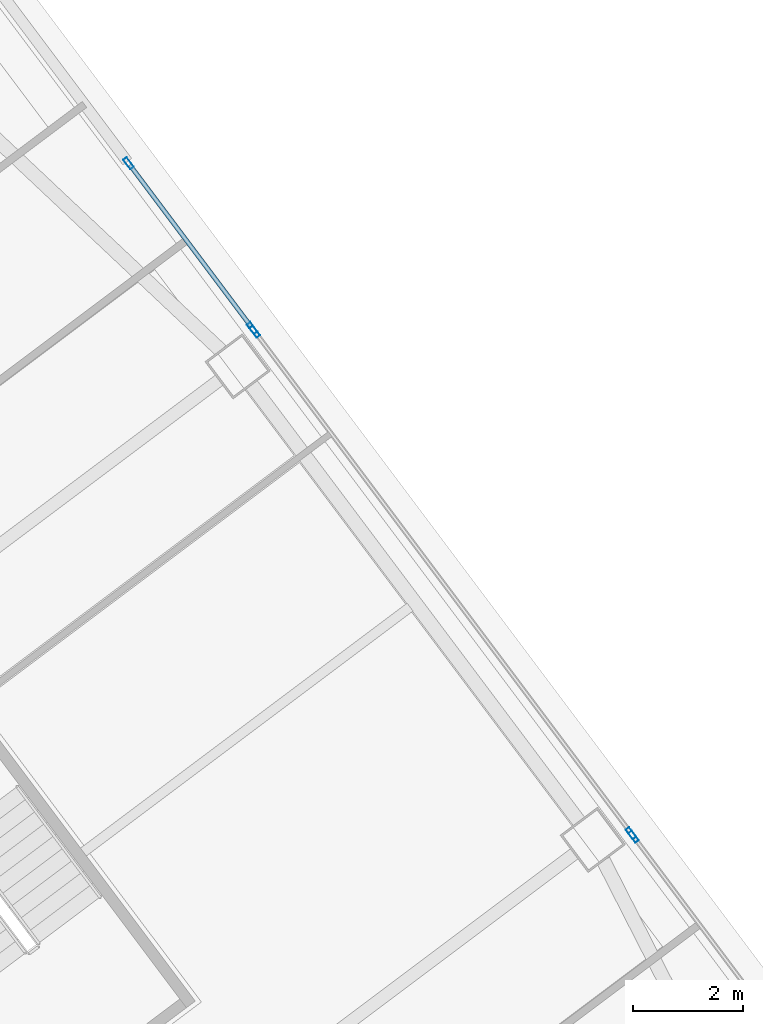
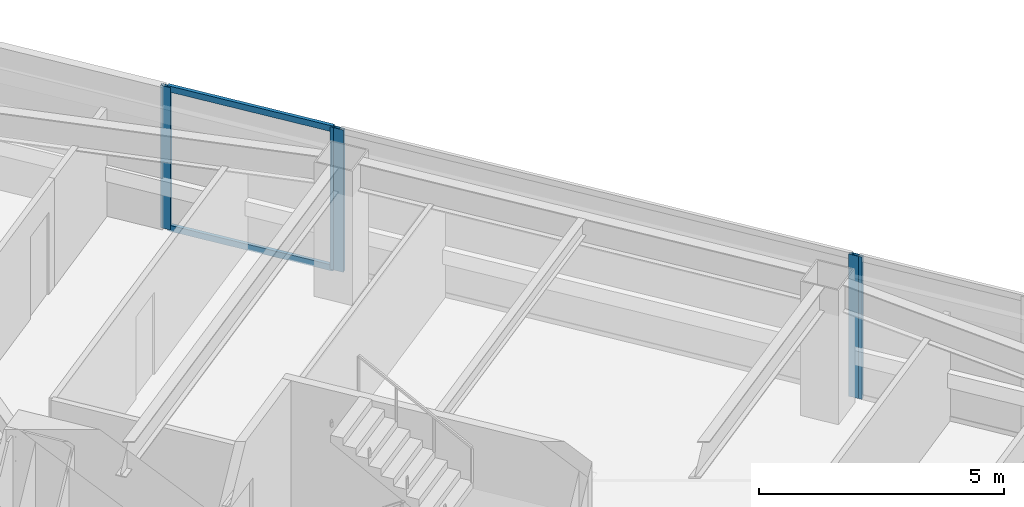
# One storey, part 31 of 44: 7 members, 3 elements without a shape of their own.
"""IFC4 building model written with IfcOpenShell, lengths in metres."""

from ifc_helpers import new_model, si_unit, direction, frame, origin, origin_2d, place, context, subcontext, project, spatial, hollow_rectangle, extrude, material, material_profile, profile_set, type_object, element, aggregate, save


model = new_model("IFC4")

# Units and contexts
model_context = context("Model", 3, precision=1e-05, world=origin(), true_north=direction((0.0, 1.0)))
body_context = subcontext(model_context, "Body", "Model", "MODEL_VIEW")
ifc_project = project(units=[si_unit("LENGTHUNIT", "METRE"), si_unit("AREAUNIT", "SQUARE_METRE"), si_unit("VOLUMEUNIT", "CUBIC_METRE"), si_unit("PLANEANGLEUNIT", "RADIAN"), si_unit("MASSUNIT", "GRAM", prefix="KILO")], contexts=[model_context])

# Site, building, storey
site_placement = place(None, origin())
site = spatial("IfcSite", under=ifc_project, at=site_placement, CompositionType="ELEMENT")
building_placement = place(site_placement, origin())
building = spatial("IfcBuilding", under=site, at=building_placement, Name="Tashvorn Skyway Center", CompositionType="ELEMENT")
storey_placement = place(building_placement, frame((0.0, 0.0, 74.300048828125)))
storey = spatial("IfcBuildingStorey", under=building, at=storey_placement, Name="L19", CompositionType="ELEMENT", Elevation=74.300048828125)

# Curtain wall, members
ifc_material = material(Name="Thermally broken bronze-anodized aluminium 6063-T6", Category="aluminium")
curtain_wall_type = type_object("IfcCurtainWallType", Name="CW-CW-Z2", PredefinedType="NOTDEFINED", material=ifc_material)
curtain_wall_1_placement = place(storey_placement, origin())
curtain_wall_1 = element("IfcCurtainWall", 1, at=curtain_wall_1_placement, inside=storey, type_object=curtain_wall_type, Name="Tower 2 L19 East Unitised Curtain Wall Glazing Group 1", PredefinedType="NOTDEFINED")
ifc_material_profile_1 = material_profile(ifc_material, hollow_rectangle(XDim=0.080078125, YDim=0.219970703125, WallThickness=0.0048828125, at=origin_2d()), Name="ALU-MULL-80x220")
ifc_profile_set_1 = profile_set([ifc_material_profile_1], Name="Thermally broken bronze-anodized aluminium 6063-T6")
member_type_1 = type_object("IfcMemberType", Name="CWM-CW-Z2", PredefinedType="MULLION", material=ifc_profile_set_1)
member_1_placement = place(storey_placement, frame((124.16796875, 51.575927734375, 0.0), z_axis=(0.0, 0.0, 1.0), x_axis=(0.799999999998, 0.600000000002, 0.0)))
member_1 = element("IfcMember", 2, at=member_1_placement, type_object=member_type_1, Name="CW-Z2 mullion 1", PredefinedType="MULLION", context=body_context, shape_type="SweptSolid", body=[
    extrude(hollow_rectangle(XDim=0.080078125, YDim=0.219970703125, WallThickness=0.0048828125, at=origin_2d()), origin(), (0.0, 0.0, 1.0), 3.550048828125),
])
member_2_placement = place(storey_placement, frame((126.424072265625, 48.568115234375, 0.0), z_axis=(0.0, 0.0, 1.0), x_axis=(0.799999999998, 0.600000000002, 0.0)))
member_2 = element("IfcMember", 3, at=member_2_placement, type_object=member_type_1, Name="CW-Z2 mullion 2", PredefinedType="MULLION", context=body_context, shape_type="SweptSolid", body=[
    extrude(hollow_rectangle(XDim=0.080078125, YDim=0.219970703125, WallThickness=0.0048828125, at=origin_2d()), origin(), (0.0, 0.0, 1.0), 3.550048828125),
])

curtain_wall_2_placement = place(storey_placement, origin())
curtain_wall_2 = element("IfcCurtainWall", 4, at=curtain_wall_2_placement, inside=storey, type_object=curtain_wall_type, Name="Tower 2 L19 East Unitised Curtain Wall Glazing Group 2", PredefinedType="NOTDEFINED")
member_3_placement = place(storey_placement, frame((126.471923828125, 48.50390625, 0.0), z_axis=(0.0, 0.0, 1.0), x_axis=(0.799999999998, 0.600000000002, 0.0)))
member_3 = element("IfcMember", 5, at=member_3_placement, type_object=member_type_1, Name="CW-Z2 mullion 1", PredefinedType="MULLION", context=body_context, shape_type="SweptSolid", body=[
    extrude(hollow_rectangle(XDim=0.080078125, YDim=0.219970703125, WallThickness=0.0048828125, at=origin_2d()), origin(), (0.0, 0.0, 1.0), 3.550048828125),
])
member_4_placement = place(storey_placement, frame((133.3359375, 39.35205078125, 0.0), z_axis=(0.0, 0.0, 1.0), x_axis=(0.799999999998, 0.600000000002, 0.0)))
member_4 = element("IfcMember", 6, at=member_4_placement, type_object=member_type_1, Name="CW-Z2 mullion 2", PredefinedType="MULLION", context=body_context, shape_type="SweptSolid", body=[
    extrude(hollow_rectangle(XDim=0.080078125, YDim=0.219970703125, WallThickness=0.0048828125, at=origin_2d()), origin(), (0.0, 0.0, 1.0), 3.550048828125),
])
aggregate(curtain_wall_2, [member_3, member_4])

# Curtain wall, member
curtain_wall_3_placement = place(storey_placement, origin())
curtain_wall_3 = element("IfcCurtainWall", 7, at=curtain_wall_3_placement, inside=storey, type_object=curtain_wall_type, Name="Tower 2 L19 East Unitised Curtain Wall Glazing Group 3", PredefinedType="NOTDEFINED")
member_5_placement = place(storey_placement, frame((133.384033203125, 39.2880859375, 0.0), z_axis=(0.0, 0.0, 1.0), x_axis=(0.799999999998, 0.600000000002, 0.0)))
member_5 = element("IfcMember", 8, at=member_5_placement, type_object=member_type_1, Name="CW-Z2 mullion 1", PredefinedType="MULLION", context=body_context, shape_type="SweptSolid", body=[
    extrude(hollow_rectangle(XDim=0.080078125, YDim=0.219970703125, WallThickness=0.0048828125, at=origin_2d()), origin(), (0.0, 0.0, 1.0), 3.550048828125),
])
aggregate(curtain_wall_3, [member_5])

# Member
ifc_material_profile_2 = material_profile(ifc_material, hollow_rectangle(XDim=0.080078125, YDim=0.14990234375, WallThickness=0.00439453125, at=origin_2d()), Name="ALU-TRAN-80x150")
ifc_profile_set_2 = profile_set([ifc_material_profile_2], Name="Thermally broken bronze-anodized aluminium 6063-T6")
member_type_2 = type_object("IfcMemberType", Name="CWT-CW-Z2", PredefinedType="USERDEFINED", material=ifc_profile_set_2)
member_6_placement = place(storey_placement, frame((124.19189453125, 51.5439453125, 0.0400390625), z_axis=(0.600021230084, -0.799984076997, 0.0), x_axis=(0.799984076997, 0.600021230084, 0.0)))
member_6 = element("IfcMember", 9, at=member_6_placement, type_object=member_type_2, Name="CW-Z2 transom 1.1", ObjectType="TRANSOM", PredefinedType="USERDEFINED", context=body_context, shape_type="SweptSolid", body=[
    extrude(hollow_rectangle(XDim=0.080078125, YDim=0.14990234375, WallThickness=0.00439453125, at=origin_2d()), origin(), (0.0, 0.0, 1.0), 3.679931640625),
])

member_7_placement = place(storey_placement, frame((124.19189453125, 51.5439453125, 3.510009765625), z_axis=(0.600021230084, -0.799984076997, 0.0), x_axis=(0.799984076997, 0.600021230084, 0.0)))
member_7 = element("IfcMember", 10, at=member_7_placement, type_object=member_type_2, Name="CW-Z2 transom 1.2", ObjectType="TRANSOM", PredefinedType="USERDEFINED", context=body_context, shape_type="SweptSolid", body=[
    extrude(hollow_rectangle(XDim=0.080078125, YDim=0.14990234375, WallThickness=0.00439453125, at=origin_2d()), origin(), (0.0, 0.0, 1.0), 3.679931640625),
])

aggregate(curtain_wall_1, [member_1, member_2, member_6, member_7])

save(model, "model.ifc")
